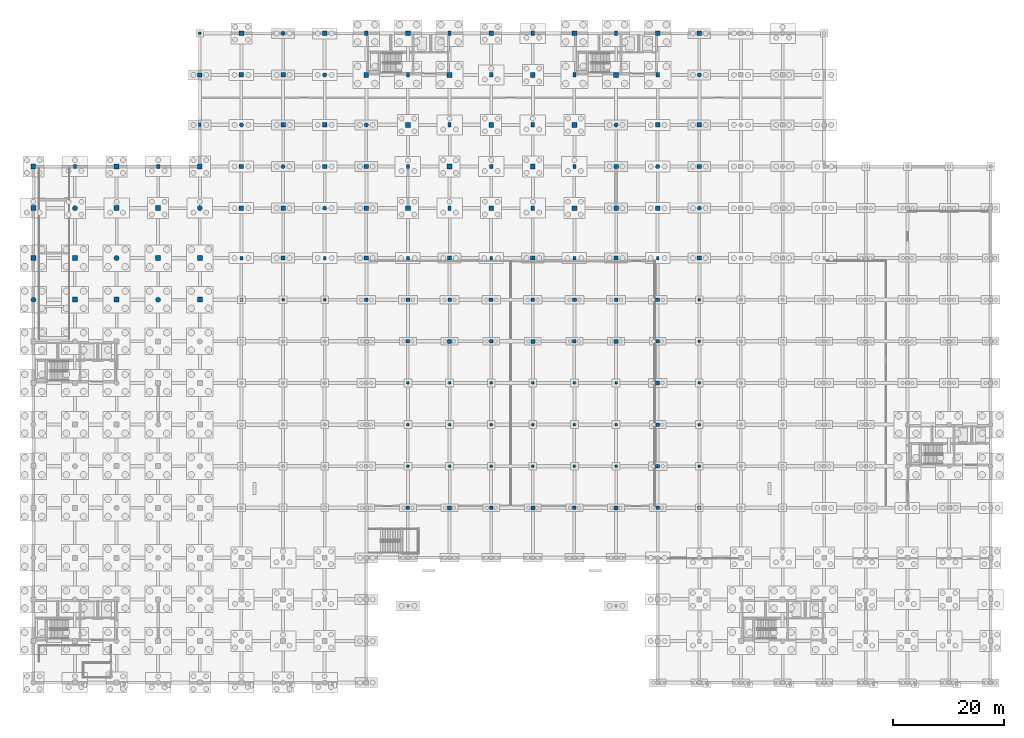
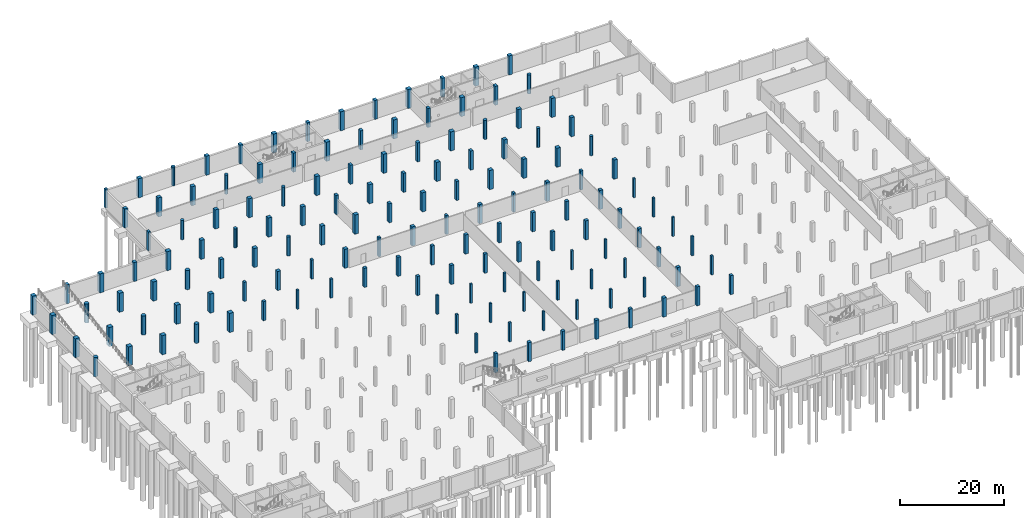
# One storey, part 20 of 42: 147 columns.
"""IFC4 building model written with IfcOpenShell, lengths in metres."""

from ifc_helpers import new_model, si_unit, direction, frame, origin, origin_2d, place, context, subcontext, project, spatial, rectangle, circle, extrude, material, material_profile, profile_set, type_object, element, save


model = new_model("IFC4")

# Units and contexts
model_context = context("Model", 3, precision=1e-05, world=origin(), true_north=direction((0.0, 1.0)))
body_context = subcontext(model_context, "Body", "Model", "MODEL_VIEW")
ifc_project = project(units=[si_unit("LENGTHUNIT", "METRE"), si_unit("AREAUNIT", "SQUARE_METRE"), si_unit("VOLUMEUNIT", "CUBIC_METRE"), si_unit("PLANEANGLEUNIT", "RADIAN"), si_unit("MASSUNIT", "GRAM", prefix="KILO")], contexts=[model_context])

# Site, building, storey
site_placement = place(None, origin())
site = spatial("IfcSite", under=ifc_project, at=site_placement, CompositionType="ELEMENT")
building_placement = place(site_placement, origin())
building = spatial("IfcBuilding", under=site, at=building_placement, Name="Dalvernix Boulevard General Hospital", CompositionType="ELEMENT")
storey_placement = place(building_placement, frame((0.0, 0.0, -4.5)))
storey = spatial("IfcBuildingStorey", under=building, at=storey_placement, Name="B1", CompositionType="ELEMENT", Elevation=-4.5)

# Columns
ifc_material = material(Name="Concrete C40/50", Category="concrete")
ifc_material_profile_1 = material_profile(ifc_material, rectangle(XDim=0.89990234375, YDim=0.89990234375, at=origin_2d()), Name="RC 900x900")
ifc_profile_set_1 = profile_set([ifc_material_profile_1], Name="Concrete C40/50")
column_type_1 = type_object("IfcColumnType", Name="COL-C-01-E", PredefinedType="COLUMN", material=ifc_profile_set_1)
for number, where, z_axis, x_axis, name in (
    (1, (0.0, 76.5, 0.0), (0.0, 0.0, 1.0), (1.0, 0.0, 0.0), "B1 column 1L"),
    (2, (0.0, 85.5, 0.0), (0.0, 0.0, 1.0), (1.0, 0.0, 0.0), "B1 column 1M"),
):
    element("IfcColumn", number, at=place(storey_placement, frame(where, z_axis=z_axis, x_axis=x_axis)), inside=storey, type_object=column_type_1, Name=name, PredefinedType="COLUMN", context=body_context, shape_type="SweptSolid", body=[
        extrude(rectangle(XDim=0.89990234375, YDim=0.89990234375, at=origin_2d()), origin(), (0.0, 0.0, 1.0), 4.5),
    ])
ifc_material_profile_2 = material_profile(ifc_material, rectangle(XDim=0.89990234375, YDim=0.89990234375, at=origin_2d()), Name="RC 900x900")
ifc_profile_set_2 = profile_set([ifc_material_profile_2], Name="Concrete C40/50")
column_type_2 = type_object("IfcColumnType", Name="COL-C-01-I", PredefinedType="COLUMN", material=ifc_profile_set_2)
for number, where, z_axis, x_axis, name in (
    (3, (7.5, 69.0, 0.0), (0.0, 0.0, 1.0), (1.0, 0.0, 0.0), "B1 column 2K"),
    (4, (7.5, 76.5, 0.0), (0.0, 0.0, 1.0), (1.0, 0.0, 0.0), "B1 column 2L"),
    (5, (15.0, 69.0, 0.0), (0.0, 0.0, 1.0), (1.0, 0.0, 0.0), "B1 column 3K"),
    (6, (15.0, 85.5, 0.0), (0.0, 0.0, 1.0), (1.0, 0.0, 0.0), "B1 column 3M"),
    (7, (22.5, 76.5, 0.0), (0.0, 0.0, 1.0), (1.0, 0.0, 0.0), "B1 column 4L"),
    (8, (22.5, 85.5, 0.0), (0.0, 0.0, 1.0), (1.0, 0.0, 0.0), "B1 column 4M"),
    (9, (30.0, 69.0, 0.0), (0.0, 0.0, 1.0), (1.0, 0.0, 0.0), "B1 column 5K"),
    (10, (30.0, 76.5, 0.0), (0.0, 0.0, 1.0), (1.0, 0.0, 0.0), "B1 column 5L"),
):
    element("IfcColumn", number, at=place(storey_placement, frame(where, z_axis=z_axis, x_axis=x_axis)), inside=storey, type_object=column_type_2, Name=name, PredefinedType="COLUMN", context=body_context, shape_type="SweptSolid", body=[
        extrude(rectangle(XDim=0.89990234375, YDim=0.89990234375, at=origin_2d()), origin(), (0.0, 0.0, 1.0), 4.5),
    ])
ifc_material_profile_3 = material_profile(ifc_material, rectangle(XDim=0.85009765625, YDim=0.85009765625, at=origin_2d()), Name="RC 850x850")
ifc_profile_set_3 = profile_set([ifc_material_profile_3], Name="Concrete C40/50")
column_type_3 = type_object("IfcColumnType", Name="COL-C-02-E", PredefinedType="COLUMN", material=ifc_profile_set_3)
for number, where, z_axis, x_axis, name in (
    (11, (0.0, 93.0, 0.0), (0.0, 0.0, 1.0), (1.0, 0.0, 0.0), "B1 column 1N"),
    (12, (15.0, 93.0, 0.0), (0.0, 0.0, 1.0), (1.0, 0.0, 0.0), "B1 column 3N"),
    (13, (30.0, 93.0, 0.0), (0.0, 0.0, 1.0), (1.0, 0.0, 0.0), "B1 column 5N"),
    (14, (37.5, 117.0, 0.0), (0.0, 0.0, 1.0), (1.0, 0.0, 0.0), "B1 column 6R"),
    (15, (67.5, 117.0, 0.0), (0.0, 0.0, 1.0), (1.0, 0.0, 0.0), "B1 column 10R"),
    (16, (82.5, 117.0, 0.0), (0.0, 0.0, 1.0), (1.0, 0.0, 0.0), "B1 column 12R"),
    (17, (97.5, 117.0, 0.0), (0.0, 0.0, 1.0), (1.0, 0.0, 0.0), "B1 column 14R"),
    (18, (112.5, 117.0, 0.0), (0.0, 0.0, 1.0), (1.0, 0.0, 0.0), "B1 column 16R"),
):
    element("IfcColumn", number, at=place(storey_placement, frame(where, z_axis=z_axis, x_axis=x_axis)), inside=storey, type_object=column_type_3, Name=name, PredefinedType="COLUMN", context=body_context, shape_type="SweptSolid", body=[
        extrude(rectangle(XDim=0.85009765625, YDim=0.85009765625, at=origin_2d()), origin(), (0.0, 0.0, 1.0), 4.5),
    ])
ifc_material_profile_4 = material_profile(ifc_material, rectangle(XDim=0.85009765625, YDim=0.85009765625, at=origin_2d()), Name="RC 850x850")
ifc_profile_set_4 = profile_set([ifc_material_profile_4], Name="Concrete C40/50")
column_type_4 = type_object("IfcColumnType", Name="COL-C-02-I", PredefinedType="COLUMN", material=ifc_profile_set_4)
for number, where, z_axis, x_axis, name in (
    (19, (60.0, 109.5, 0.0), (0.0, 0.0, 1.0), (1.0, 0.0, 0.0), "B1 column 9Q"),
    (20, (67.5, 85.5, 0.0), (0.0, 0.0, 1.0), (1.0, 0.0, 0.0), "B1 column 10M"),
    (21, (67.5, 100.5, 0.0), (0.0, 0.0, 1.0), (1.0, 0.0, 0.0), "B1 column 10P"),
    (22, (75.0, 93.0, 0.0), (0.0, 0.0, 1.0), (1.0, 0.0, 0.0), "B1 column 11N"),
    (23, (75.0, 109.5, 0.0), (0.0, 0.0, 1.0), (1.0, 0.0, 0.0), "B1 column 11Q"),
    (24, (82.5, 85.5, 0.0), (0.0, 0.0, 1.0), (1.0, 0.0, 0.0), "B1 column 12M"),
    (25, (82.5, 100.5, 0.0), (0.0, 0.0, 1.0), (1.0, 0.0, 0.0), "B1 column 12P"),
    (26, (90.0, 93.0, 0.0), (0.0, 0.0, 1.0), (1.0, 0.0, 0.0), "B1 column 13N"),
    (27, (90.0, 109.5, 0.0), (0.0, 0.0, 1.0), (1.0, 0.0, 0.0), "B1 column 13Q"),
    (28, (97.5, 85.5, 0.0), (0.0, 0.0, 1.0), (1.0, 0.0, 0.0), "B1 column 14M"),
    (29, (97.5, 100.5, 0.0), (0.0, 0.0, 1.0), (1.0, 0.0, 0.0), "B1 column 14P"),
    (30, (105.0, 109.5, 0.0), (0.0, 0.0, 1.0), (1.0, 0.0, 0.0), "B1 column 15Q"),
):
    element("IfcColumn", number, at=place(storey_placement, frame(where, z_axis=z_axis, x_axis=x_axis)), inside=storey, type_object=column_type_4, Name=name, PredefinedType="COLUMN", context=body_context, shape_type="SweptSolid", body=[
        extrude(rectangle(XDim=0.85009765625, YDim=0.85009765625, at=origin_2d()), origin(), (0.0, 0.0, 1.0), 4.5),
    ])
ifc_material_profile_5 = material_profile(ifc_material, rectangle(XDim=0.800048828125, YDim=0.800048828125, at=origin_2d()), Name="RC 800x800")
ifc_profile_set_5 = profile_set([ifc_material_profile_5], Name="Concrete C40/50")
column_type_5 = type_object("IfcColumnType", Name="COL-C-03-E", PredefinedType="COLUMN", material=ifc_profile_set_5)
for number, where, z_axis, x_axis, name in (
    (31, (52.5, 117.0, 0.0), (0.0, 0.0, 1.0), (1.0, 0.0, 0.0), "B1 column 8R"),
    (32, (120.0, 117.0, 0.0), (0.0, 0.0, 1.0), (1.0, 0.0, 0.0), "B1 column 17R"),
):
    element("IfcColumn", number, at=place(storey_placement, frame(where, z_axis=z_axis, x_axis=x_axis)), inside=storey, type_object=column_type_5, Name=name, PredefinedType="COLUMN", context=body_context, shape_type="SweptSolid", body=[
        extrude(rectangle(XDim=0.800048828125, YDim=0.800048828125, at=origin_2d()), origin(), (0.0, 0.0, 1.0), 4.5),
    ])
ifc_material_profile_6 = material_profile(ifc_material, rectangle(XDim=0.800048828125, YDim=0.800048828125, at=origin_2d()), Name="RC 800x800")
ifc_profile_set_6 = profile_set([ifc_material_profile_6], Name="Concrete C40/50")
column_type_6 = type_object("IfcColumnType", Name="COL-C-03-I", PredefinedType="COLUMN", material=ifc_profile_set_6)
for number, where, z_axis, x_axis, name in (
    (33, (37.5, 85.5, 0.0), (0.0, 0.0, 1.0), (1.0, 0.0, 0.0), "B1 column 6M"),
    (34, (37.5, 93.0, 0.0), (0.0, 0.0, 1.0), (1.0, 0.0, 0.0), "B1 column 6N"),
    (35, (37.5, 109.5, 0.0), (0.0, 0.0, 1.0), (1.0, 0.0, 0.0), "B1 column 6Q"),
    (36, (45.0, 85.5, 0.0), (0.0, 0.0, 1.0), (1.0, 0.0, 0.0), "B1 column 7M"),
    (37, (45.0, 100.5, 0.0), (0.0, 0.0, 1.0), (1.0, 0.0, 0.0), "B1 column 7P"),
    (38, (45.0, 109.5, 0.0), (0.0, 0.0, 1.0), (1.0, 0.0, 0.0), "B1 column 7Q"),
    (39, (52.5, 93.0, 0.0), (0.0, 0.0, 1.0), (1.0, 0.0, 0.0), "B1 column 8N"),
    (40, (52.5, 100.5, 0.0), (0.0, 0.0, 1.0), (1.0, 0.0, 0.0), "B1 column 8P"),
    (41, (60.0, 85.5, 0.0), (0.0, 0.0, 1.0), (1.0, 0.0, 0.0), "B1 column 9M"),
    (42, (60.0, 93.0, 0.0), (0.0, 0.0, 1.0), (1.0, 0.0, 0.0), "B1 column 9N"),
    (43, (105.0, 85.5, 0.0), (0.0, 0.0, 1.0), (1.0, 0.0, 0.0), "B1 column 15M"),
    (44, (105.0, 93.0, 0.0), (0.0, 0.0, 1.0), (1.0, 0.0, 0.0), "B1 column 15N"),
    (45, (112.5, 85.5, 0.0), (0.0, 0.0, 1.0), (1.0, 0.0, 0.0), "B1 column 16M"),
    (46, (112.5, 100.5, 0.0), (0.0, 0.0, 1.0), (1.0, 0.0, 0.0), "B1 column 16P"),
    (47, (120.0, 93.0, 0.0), (0.0, 0.0, 1.0), (1.0, 0.0, 0.0), "B1 column 17N"),
    (48, (120.0, 100.5, 0.0), (0.0, 0.0, 1.0), (1.0, 0.0, 0.0), "B1 column 17P"),
):
    element("IfcColumn", number, at=place(storey_placement, frame(where, z_axis=z_axis, x_axis=x_axis)), inside=storey, type_object=column_type_6, Name=name, PredefinedType="COLUMN", context=body_context, shape_type="SweptSolid", body=[
        extrude(rectangle(XDim=0.800048828125, YDim=0.800048828125, at=origin_2d()), origin(), (0.0, 0.0, 1.0), 4.5),
    ])
ifc_material_profile_7 = material_profile(ifc_material, rectangle(XDim=0.75, YDim=0.75, at=origin_2d()), Name="RC 750x750")
ifc_profile_set_7 = profile_set([ifc_material_profile_7], Name="Concrete C40/50")
column_type_7 = type_object("IfcColumnType", Name="COL-C-04-E", PredefinedType="COLUMN", material=ifc_profile_set_7)
column_1_placement = place(storey_placement, frame((30.0, 109.5, 0.0), z_axis=(0.0, 0.0, 1.0), x_axis=(1.0, 0.0, 0.0)))
element("IfcColumn", 49, at=column_1_placement, inside=storey, type_object=column_type_7, Name="B1 column 5Q", PredefinedType="COLUMN", context=body_context, shape_type="SweptSolid", body=[
    extrude(rectangle(XDim=0.75, YDim=0.75, at=origin_2d()), origin(), (0.0, 0.0, 1.0), 4.5),
])
ifc_material_profile_8 = material_profile(ifc_material, rectangle(XDim=0.75, YDim=0.75, at=origin_2d()), Name="RC 750x750")
ifc_profile_set_8 = profile_set([ifc_material_profile_8], Name="Concrete C40/50")
column_type_8 = type_object("IfcColumnType", Name="COL-C-04-I", PredefinedType="COLUMN", material=ifc_profile_set_8)
for number, where, z_axis, x_axis, name in (
    (50, (45.0, 76.5, 0.0), (0.0, 0.0, 1.0), (1.0, 0.0, 0.0), "B1 column 7L"),
    (51, (60.0, 76.5, 0.0), (0.0, 0.0, 1.0), (1.0, 0.0, 0.0), "B1 column 9L"),
    (52, (75.0, 76.5, 0.0), (0.0, 0.0, 1.0), (1.0, 0.0, 0.0), "B1 column 11L"),
    (53, (90.0, 76.5, 0.0), (0.0, 0.0, 1.0), (1.0, 0.0, 0.0), "B1 column 13L"),
    (54, (105.0, 76.5, 0.0), (0.0, 0.0, 1.0), (1.0, 0.0, 0.0), "B1 column 15L"),
    (55, (120.0, 76.5, 0.0), (0.0, 0.0, 1.0), (1.0, 0.0, 0.0), "B1 column 17L"),
):
    element("IfcColumn", number, at=place(storey_placement, frame(where, z_axis=z_axis, x_axis=x_axis)), inside=storey, type_object=column_type_8, Name=name, PredefinedType="COLUMN", context=body_context, shape_type="SweptSolid", body=[
        extrude(rectangle(XDim=0.75, YDim=0.75, at=origin_2d()), origin(), (0.0, 0.0, 1.0), 4.5),
    ])
ifc_material_profile_9 = material_profile(ifc_material, rectangle(XDim=0.699951171875, YDim=0.699951171875, at=origin_2d()), Name="RC 700x700")
ifc_profile_set_9 = profile_set([ifc_material_profile_9], Name="Concrete C40/50")
column_type_9 = type_object("IfcColumnType", Name="COL-C-05-I", PredefinedType="COLUMN", material=ifc_profile_set_9)
for number, where, z_axis, x_axis, name in (
    (56, (67.5, 69.0, 0.0), (0.0, 0.0, 1.0), (1.0, 0.0, 0.0), "B1 column 10K"),
    (57, (75.0, 31.5, 0.0), (0.0, 0.0, 1.0), (1.0, 0.0, 0.0), "B1 column 11E"),
    (58, (75.0, 61.5, 0.0), (0.0, 0.0, 1.0), (1.0, 0.0, 0.0), "B1 column 11J"),
    (59, (82.5, 69.0, 0.0), (0.0, 0.0, 1.0), (1.0, 0.0, 0.0), "B1 column 12K"),
    (60, (90.0, 31.5, 0.0), (0.0, 0.0, 1.0), (1.0, 0.0, 0.0), "B1 column 13E"),
    (61, (90.0, 61.5, 0.0), (0.0, 0.0, 1.0), (1.0, 0.0, 0.0), "B1 column 13J"),
    (62, (97.5, 69.0, 0.0), (0.0, 0.0, 1.0), (1.0, 0.0, 0.0), "B1 column 14K"),
    (63, (105.0, 31.5, 0.0), (0.0, 0.0, 1.0), (1.0, 0.0, 0.0), "B1 column 15E"),
    (64, (105.0, 61.5, 0.0), (0.0, 0.0, 1.0), (1.0, 0.0, 0.0), "B1 column 15J"),
    (65, (112.5, 39.0, 0.0), (0.0, 0.0, 1.0), (1.0, 0.0, 0.0), "B1 column 16F"),
    (66, (112.5, 54.0, 0.0), (0.0, 0.0, 1.0), (1.0, 0.0, 0.0), "B1 column 16H"),
    (67, (112.5, 69.0, 0.0), (0.0, 0.0, 1.0), (1.0, 0.0, 0.0), "B1 column 16K"),
):
    element("IfcColumn", number, at=place(storey_placement, frame(where, z_axis=z_axis, x_axis=x_axis)), inside=storey, type_object=column_type_9, Name=name, PredefinedType="COLUMN", context=body_context, shape_type="SweptSolid", body=[
        extrude(rectangle(XDim=0.699951171875, YDim=0.699951171875, at=origin_2d()), origin(), (0.0, 0.0, 1.0), 4.5),
    ])
ifc_material_profile_10 = material_profile(ifc_material, rectangle(XDim=0.64990234375, YDim=0.64990234375, at=origin_2d()), Name="RC 650x650")
ifc_profile_set_10 = profile_set([ifc_material_profile_10], Name="Concrete C40/50")
column_type_10 = type_object("IfcColumnType", Name="COL-C-06-I", PredefinedType="COLUMN", material=ifc_profile_set_10)
for number, where, z_axis, x_axis, name in (
    (68, (60.0, 69.0, 0.0), (0.0, 0.0, 1.0), (1.0, 0.0, 0.0), "B1 column 9K"),
    (69, (67.5, 31.5, 0.0), (0.0, 0.0, 1.0), (1.0, 0.0, 0.0), "B1 column 10E"),
    (70, (67.5, 61.5, 0.0), (0.0, 0.0, 1.0), (1.0, 0.0, 0.0), "B1 column 10J"),
    (71, (75.0, 69.0, 0.0), (0.0, 0.0, 1.0), (1.0, 0.0, 0.0), "B1 column 11K"),
    (72, (82.5, 31.5, 0.0), (0.0, 0.0, 1.0), (1.0, 0.0, 0.0), "B1 column 12E"),
    (73, (82.5, 61.5, 0.0), (0.0, 0.0, 1.0), (1.0, 0.0, 0.0), "B1 column 12J"),
    (74, (90.0, 69.0, 0.0), (0.0, 0.0, 1.0), (1.0, 0.0, 0.0), "B1 column 13K"),
    (75, (97.5, 31.5, 0.0), (0.0, 0.0, 1.0), (1.0, 0.0, 0.0), "B1 column 14E"),
    (76, (97.5, 61.5, 0.0), (0.0, 0.0, 1.0), (1.0, 0.0, 0.0), "B1 column 14J"),
    (77, (105.0, 69.0, 0.0), (0.0, 0.0, 1.0), (1.0, 0.0, 0.0), "B1 column 15K"),
    (78, (112.5, 31.5, 0.0), (0.0, 0.0, 1.0), (1.0, 0.0, 0.0), "B1 column 16E"),
    (79, (112.5, 46.5, 0.0), (0.0, 0.0, 1.0), (1.0, 0.0, 0.0), "B1 column 16G"),
    (80, (112.5, 61.5, 0.0), (0.0, 0.0, 1.0), (1.0, 0.0, 0.0), "B1 column 16J"),
):
    element("IfcColumn", number, at=place(storey_placement, frame(where, z_axis=z_axis, x_axis=x_axis)), inside=storey, type_object=column_type_10, Name=name, PredefinedType="COLUMN", context=body_context, shape_type="SweptSolid", body=[
        extrude(rectangle(XDim=0.64990234375, YDim=0.64990234375, at=origin_2d()), origin(), (0.0, 0.0, 1.0), 4.5),
    ])
ifc_material_profile_11 = material_profile(ifc_material, rectangle(XDim=0.60009765625, YDim=0.60009765625, at=origin_2d()), Name="RC 600x600")
ifc_profile_set_11 = profile_set([ifc_material_profile_11], Name="Concrete C40/50")
column_type_11 = type_object("IfcColumnType", Name="COL-C-07-I", PredefinedType="COLUMN", material=ifc_profile_set_11)
for number, where, z_axis, x_axis, name in (
    (81, (37.5, 69.0, 0.0), (0.0, 0.0, 1.0), (1.0, 0.0, 0.0), "B1 column 6K"),
    (82, (120.0, 31.5, 0.0), (0.0, 0.0, 1.0), (1.0, 0.0, 0.0), "B1 column 17E"),
):
    element("IfcColumn", number, at=place(storey_placement, frame(where, z_axis=z_axis, x_axis=x_axis)), inside=storey, type_object=column_type_11, Name=name, PredefinedType="COLUMN", context=body_context, shape_type="SweptSolid", body=[
        extrude(rectangle(XDim=0.60009765625, YDim=0.60009765625, at=origin_2d()), origin(), (0.0, 0.0, 1.0), 4.5),
    ])
ifc_material_profile_12 = material_profile(ifc_material, rectangle(XDim=0.5, YDim=0.5, at=origin_2d()), Name="RC 500x500")
ifc_profile_set_12 = profile_set([ifc_material_profile_12], Name="Concrete C40/50")
column_type_12 = type_object("IfcColumnType", Name="COL-C-09-E", PredefinedType="COLUMN", material=ifc_profile_set_12)
column_2_placement = place(storey_placement, frame((30.0, 117.0, 0.0), z_axis=(0.0, 0.0, 1.0), x_axis=(1.0, 0.0, 0.0)))
element("IfcColumn", 83, at=column_2_placement, inside=storey, type_object=column_type_12, Name="B1 column 5R", PredefinedType="COLUMN", context=body_context, shape_type="SweptSolid", body=[
    extrude(rectangle(XDim=0.5, YDim=0.5, at=origin_2d()), origin(), (0.0, 0.0, 1.0), 4.5),
])
ifc_material_profile_13 = material_profile(ifc_material, rectangle(XDim=0.449951171875, YDim=0.449951171875, at=origin_2d()), Name="RC 450x450")
ifc_profile_set_13 = profile_set([ifc_material_profile_13], Name="Concrete C40/50")
column_type_13 = type_object("IfcColumnType", Name="COL-C-10-I", PredefinedType="COLUMN", material=ifc_profile_set_13)
for number, where, z_axis, x_axis, name in (
    (84, (45.0, 69.0, 0.0), (0.0, 0.0, 1.0), (1.0, 0.0, 0.0), "B1 column 7K"),
    (85, (52.5, 69.0, 0.0), (0.0, 0.0, 1.0), (1.0, 0.0, 0.0), "B1 column 8K"),
    (86, (67.5, 39.0, 0.0), (0.0, 0.0, 1.0), (1.0, 0.0, 0.0), "B1 column 10F"),
    (87, (67.5, 46.5, 0.0), (0.0, 0.0, 1.0), (1.0, 0.0, 0.0), "B1 column 10G"),
    (88, (67.5, 54.0, 0.0), (0.0, 0.0, 1.0), (1.0, 0.0, 0.0), "B1 column 10H"),
    (89, (75.0, 39.0, 0.0), (0.0, 0.0, 1.0), (1.0, 0.0, 0.0), "B1 column 11F"),
    (90, (75.0, 46.5, 0.0), (0.0, 0.0, 1.0), (1.0, 0.0, 0.0), "B1 column 11G"),
    (91, (75.0, 54.0, 0.0), (0.0, 0.0, 1.0), (1.0, 0.0, 0.0), "B1 column 11H"),
    (92, (82.5, 39.0, 0.0), (0.0, 0.0, 1.0), (1.0, 0.0, 0.0), "B1 column 12F"),
    (93, (82.5, 46.5, 0.0), (0.0, 0.0, 1.0), (1.0, 0.0, 0.0), "B1 column 12G"),
    (94, (82.5, 54.0, 0.0), (0.0, 0.0, 1.0), (1.0, 0.0, 0.0), "B1 column 12H"),
    (95, (90.0, 39.0, 0.0), (0.0, 0.0, 1.0), (1.0, 0.0, 0.0), "B1 column 13F"),
    (96, (90.0, 46.5, 0.0), (0.0, 0.0, 1.0), (1.0, 0.0, 0.0), "B1 column 13G"),
    (97, (90.0, 54.0, 0.0), (0.0, 0.0, 1.0), (1.0, 0.0, 0.0), "B1 column 13H"),
    (98, (97.5, 39.0, 0.0), (0.0, 0.0, 1.0), (1.0, 0.0, 0.0), "B1 column 14F"),
    (99, (97.5, 46.5, 0.0), (0.0, 0.0, 1.0), (1.0, 0.0, 0.0), "B1 column 14G"),
    (100, (97.5, 54.0, 0.0), (0.0, 0.0, 1.0), (1.0, 0.0, 0.0), "B1 column 14H"),
    (101, (105.0, 39.0, 0.0), (0.0, 0.0, 1.0), (1.0, 0.0, 0.0), "B1 column 15F"),
    (102, (105.0, 46.5, 0.0), (0.0, 0.0, 1.0), (1.0, 0.0, 0.0), "B1 column 15G"),
    (103, (105.0, 54.0, 0.0), (0.0, 0.0, 1.0), (1.0, 0.0, 0.0), "B1 column 15H"),
    (104, (120.0, 39.0, 0.0), (0.0, 0.0, 1.0), (1.0, 0.0, 0.0), "B1 column 17F"),
    (105, (120.0, 46.5, 0.0), (0.0, 0.0, 1.0), (1.0, 0.0, 0.0), "B1 column 17G"),
    (106, (120.0, 54.0, 0.0), (0.0, 0.0, 1.0), (1.0, 0.0, 0.0), "B1 column 17H"),
    (107, (120.0, 61.5, 0.0), (0.0, 0.0, 1.0), (1.0, 0.0, 0.0), "B1 column 17J"),
    (108, (120.0, 69.0, 0.0), (0.0, 0.0, 1.0), (1.0, 0.0, 0.0), "B1 column 17K"),
):
    element("IfcColumn", number, at=place(storey_placement, frame(where, z_axis=z_axis, x_axis=x_axis)), inside=storey, type_object=column_type_13, Name=name, PredefinedType="COLUMN", context=body_context, shape_type="SweptSolid", body=[
        extrude(rectangle(XDim=0.449951171875, YDim=0.449951171875, at=origin_2d()), origin(), (0.0, 0.0, 1.0), 4.5),
    ])
ifc_material_profile_14 = material_profile(ifc_material, rectangle(XDim=0.60009765625, YDim=0.800048828125, at=origin_2d()), Name="RC 600x800")
ifc_profile_set_14 = profile_set([ifc_material_profile_14], Name="Concrete C40/50")
column_type_14 = type_object("IfcColumnType", Name="COL-C-11-E", PredefinedType="COLUMN", material=ifc_profile_set_14)
for number, where, z_axis, x_axis, name in (
    (109, (7.5, 93.0, 0.0), (0.0, 0.0, 1.0), (1.0, 0.0, 0.0), "B1 column 2N"),
    (110, (22.5, 93.0, 0.0), (0.0, 0.0, 1.0), (1.0, 0.0, 0.0), "B1 column 4N"),
    (111, (60.0, 117.0, 0.0), (0.0, 0.0, 1.0), (1.0, 0.0, 0.0), "B1 column 9R"),
    (112, (75.0, 117.0, 0.0), (0.0, 0.0, 1.0), (1.0, 0.0, 0.0), "B1 column 11R"),
    (113, (90.0, 117.0, 0.0), (0.0, 0.0, 1.0), (1.0, 0.0, 0.0), "B1 column 13R"),
    (114, (105.0, 117.0, 0.0), (0.0, 0.0, 1.0), (1.0, 0.0, 0.0), "B1 column 15R"),
):
    element("IfcColumn", number, at=place(storey_placement, frame(where, z_axis=z_axis, x_axis=x_axis)), inside=storey, type_object=column_type_14, Name=name, PredefinedType="COLUMN", context=body_context, shape_type="SweptSolid", body=[
        extrude(rectangle(XDim=0.60009765625, YDim=0.800048828125, at=origin_2d()), origin(), (0.0, 0.0, 1.0), 4.5),
    ])
ifc_material_profile_15 = material_profile(ifc_material, rectangle(XDim=0.60009765625, YDim=0.800048828125, at=origin_2d()), Name="RC 600x800")
ifc_profile_set_15 = profile_set([ifc_material_profile_15], Name="Concrete C40/50")
column_type_15 = type_object("IfcColumnType", Name="COL-C-11-I", PredefinedType="COLUMN", material=ifc_profile_set_15)
for number, where, z_axis, x_axis, name in (
    (115, (67.5, 93.0, 0.0), (0.0, 0.0, 1.0), (1.0, 0.0, 0.0), "B1 column 10N"),
    (116, (67.5, 109.5, 0.0), (0.0, 0.0, 1.0), (1.0, 0.0, 0.0), "B1 column 10Q"),
    (117, (75.0, 85.5, 0.0), (0.0, 0.0, 1.0), (1.0, 0.0, 0.0), "B1 column 11M"),
    (118, (75.0, 100.5, 0.0), (0.0, 0.0, 1.0), (1.0, 0.0, 0.0), "B1 column 11P"),
    (119, (82.5, 93.0, 0.0), (0.0, 0.0, 1.0), (1.0, 0.0, 0.0), "B1 column 12N"),
    (120, (82.5, 109.5, 0.0), (0.0, 0.0, 1.0), (1.0, 0.0, 0.0), "B1 column 12Q"),
    (121, (90.0, 85.5, 0.0), (0.0, 0.0, 1.0), (1.0, 0.0, 0.0), "B1 column 13M"),
    (122, (90.0, 100.5, 0.0), (0.0, 0.0, 1.0), (1.0, 0.0, 0.0), "B1 column 13P"),
    (123, (97.5, 93.0, 0.0), (0.0, 0.0, 1.0), (1.0, 0.0, 0.0), "B1 column 14N"),
    (124, (97.5, 109.5, 0.0), (0.0, 0.0, 1.0), (1.0, 0.0, 0.0), "B1 column 14Q"),
    (125, (112.5, 109.5, 0.0), (0.0, 0.0, 1.0), (1.0, 0.0, 0.0), "B1 column 16Q"),
):
    element("IfcColumn", number, at=place(storey_placement, frame(where, z_axis=z_axis, x_axis=x_axis)), inside=storey, type_object=column_type_15, Name=name, PredefinedType="COLUMN", context=body_context, shape_type="SweptSolid", body=[
        extrude(rectangle(XDim=0.60009765625, YDim=0.800048828125, at=origin_2d()), origin(), (0.0, 0.0, 1.0), 4.5),
    ])
ifc_material_profile_16 = material_profile(ifc_material, rectangle(XDim=0.5, YDim=0.64990234375, at=origin_2d()), Name="RC 500x650")
ifc_profile_set_16 = profile_set([ifc_material_profile_16], Name="Concrete C40/50")
column_type_16 = type_object("IfcColumnType", Name="COL-C-12-E", PredefinedType="COLUMN", material=ifc_profile_set_16)
column_3_placement = place(storey_placement, frame((30.0, 100.5, 0.0), z_axis=(0.0, 0.0, 1.0), x_axis=(1.0, 0.0, 0.0)))
element("IfcColumn", 126, at=column_3_placement, inside=storey, type_object=column_type_16, Name="B1 column 5P", PredefinedType="COLUMN", context=body_context, shape_type="SweptSolid", body=[
    extrude(rectangle(XDim=0.5, YDim=0.64990234375, at=origin_2d()), origin(), (0.0, 0.0, 1.0), 4.5),
])
ifc_material_profile_17 = material_profile(ifc_material, rectangle(XDim=0.5, YDim=0.64990234375, at=origin_2d()), Name="RC 500x650")
ifc_profile_set_17 = profile_set([ifc_material_profile_17], Name="Concrete C40/50")
column_type_17 = type_object("IfcColumnType", Name="COL-C-12-I", PredefinedType="COLUMN", material=ifc_profile_set_17)
for number, where, z_axis, x_axis, name in (
    (127, (37.5, 76.5, 0.0), (0.0, 0.0, 1.0), (1.0, 0.0, 0.0), "B1 column 6L"),
    (128, (52.5, 76.5, 0.0), (0.0, 0.0, 1.0), (1.0, 0.0, 0.0), "B1 column 8L"),
    (129, (67.5, 76.5, 0.0), (0.0, 0.0, 1.0), (1.0, 0.0, 0.0), "B1 column 10L"),
    (130, (82.5, 76.5, 0.0), (0.0, 0.0, 1.0), (1.0, 0.0, 0.0), "B1 column 12L"),
    (131, (97.5, 76.5, 0.0), (0.0, 0.0, 1.0), (1.0, 0.0, 0.0), "B1 column 14L"),
    (132, (112.5, 76.5, 0.0), (0.0, 0.0, 1.0), (1.0, 0.0, 0.0), "B1 column 16L"),
):
    element("IfcColumn", number, at=place(storey_placement, frame(where, z_axis=z_axis, x_axis=x_axis)), inside=storey, type_object=column_type_17, Name=name, PredefinedType="COLUMN", context=body_context, shape_type="SweptSolid", body=[
        extrude(rectangle(XDim=0.5, YDim=0.64990234375, at=origin_2d()), origin(), (0.0, 0.0, 1.0), 4.5),
    ])
ifc_material_profile_18 = material_profile(ifc_material, circle(Radius=0.449951171875, at=origin_2d()), Name="RC D900")
ifc_profile_set_18 = profile_set([ifc_material_profile_18], Name="Concrete C40/50")
column_type_18 = type_object("IfcColumnType", Name="COL-C-13-E", PredefinedType="COLUMN", material=ifc_profile_set_18)
column_4_placement = place(storey_placement, frame((0.0, 69.0, 0.0), z_axis=(0.0, 0.0, 1.0), x_axis=(1.0, 0.0, 0.0)))
element("IfcColumn", 133, at=column_4_placement, inside=storey, type_object=column_type_18, Name="B1 column 1K", PredefinedType="COLUMN", context=body_context, shape_type="SweptSolid", body=[
    extrude(circle(Radius=0.449951171875, at=origin_2d()), origin(), (0.0, 0.0, 1.0), 4.5),
])
ifc_material_profile_19 = material_profile(ifc_material, circle(Radius=0.449951171875, at=origin_2d()), Name="RC D900")
ifc_profile_set_19 = profile_set([ifc_material_profile_19], Name="Concrete C40/50")
column_type_19 = type_object("IfcColumnType", Name="COL-C-13-I", PredefinedType="COLUMN", material=ifc_profile_set_19)
for number, where, z_axis, x_axis, name in (
    (134, (7.5, 85.5, 0.0), (0.0, 0.0, 1.0), (1.0, 0.0, 0.0), "B1 column 2M"),
    (135, (15.0, 76.5, 0.0), (0.0, 0.0, 1.0), (1.0, 0.0, 0.0), "B1 column 3L"),
    (136, (22.5, 69.0, 0.0), (0.0, 0.0, 1.0), (1.0, 0.0, 0.0), "B1 column 4K"),
    (137, (30.0, 85.5, 0.0), (0.0, 0.0, 1.0), (1.0, 0.0, 0.0), "B1 column 5M"),
):
    element("IfcColumn", number, at=place(storey_placement, frame(where, z_axis=z_axis, x_axis=x_axis)), inside=storey, type_object=column_type_19, Name=name, PredefinedType="COLUMN", context=body_context, shape_type="SweptSolid", body=[
        extrude(circle(Radius=0.449951171875, at=origin_2d()), origin(), (0.0, 0.0, 1.0), 4.5),
    ])
ifc_material_profile_20 = material_profile(ifc_material, circle(Radius=0.375, at=origin_2d()), Name="RC D750")
ifc_profile_set_20 = profile_set([ifc_material_profile_20], Name="Concrete C40/50")
column_type_20 = type_object("IfcColumnType", Name="COL-C-14-E", PredefinedType="COLUMN", material=ifc_profile_set_20)
column_5_placement = place(storey_placement, frame((45.0, 117.0, 0.0), z_axis=(0.0, 0.0, 1.0), x_axis=(1.0, 0.0, 0.0)))
element("IfcColumn", 138, at=column_5_placement, inside=storey, type_object=column_type_20, Name="B1 column 7R", PredefinedType="COLUMN", context=body_context, shape_type="SweptSolid", body=[
    extrude(circle(Radius=0.375, at=origin_2d()), origin(), (0.0, 0.0, 1.0), 4.5),
])
ifc_material_profile_21 = material_profile(ifc_material, circle(Radius=0.375, at=origin_2d()), Name="RC D750")
ifc_profile_set_21 = profile_set([ifc_material_profile_21], Name="Concrete C40/50")
column_type_21 = type_object("IfcColumnType", Name="COL-C-14-I", PredefinedType="COLUMN", material=ifc_profile_set_21)
for number, where, z_axis, x_axis, name in (
    (139, (37.5, 100.5, 0.0), (0.0, 0.0, 1.0), (1.0, 0.0, 0.0), "B1 column 6P"),
    (140, (45.0, 93.0, 0.0), (0.0, 0.0, 1.0), (1.0, 0.0, 0.0), "B1 column 7N"),
    (141, (52.5, 85.5, 0.0), (0.0, 0.0, 1.0), (1.0, 0.0, 0.0), "B1 column 8M"),
    (142, (52.5, 109.5, 0.0), (0.0, 0.0, 1.0), (1.0, 0.0, 0.0), "B1 column 8Q"),
    (143, (60.0, 100.5, 0.0), (0.0, 0.0, 1.0), (1.0, 0.0, 0.0), "B1 column 9P"),
    (144, (105.0, 100.5, 0.0), (0.0, 0.0, 1.0), (1.0, 0.0, 0.0), "B1 column 15P"),
    (145, (112.5, 93.0, 0.0), (0.0, 0.0, 1.0), (1.0, 0.0, 0.0), "B1 column 16N"),
    (146, (120.0, 85.5, 0.0), (0.0, 0.0, 1.0), (1.0, 0.0, 0.0), "B1 column 17M"),
    (147, (120.0, 109.5, 0.0), (0.0, 0.0, 1.0), (1.0, 0.0, 0.0), "B1 column 17Q"),
):
    element("IfcColumn", number, at=place(storey_placement, frame(where, z_axis=z_axis, x_axis=x_axis)), inside=storey, type_object=column_type_21, Name=name, PredefinedType="COLUMN", context=body_context, shape_type="SweptSolid", body=[
        extrude(circle(Radius=0.375, at=origin_2d()), origin(), (0.0, 0.0, 1.0), 4.5),
    ])

save(model, "model.ifc")
